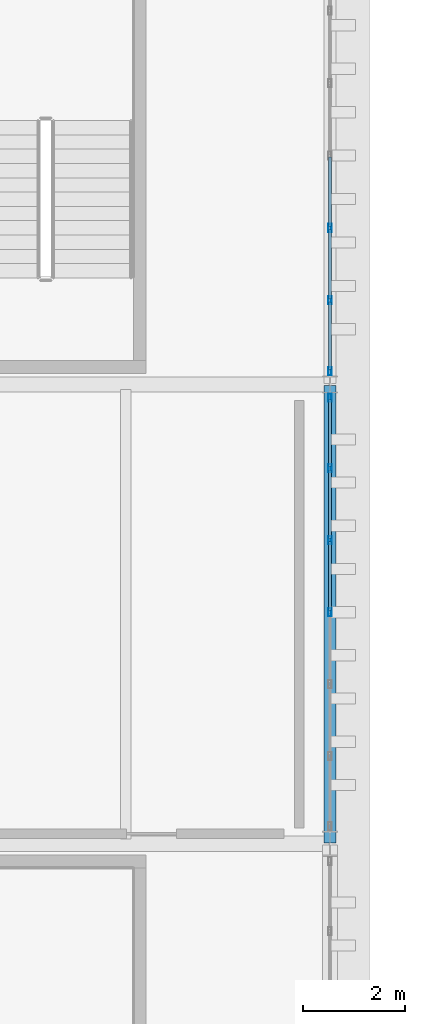
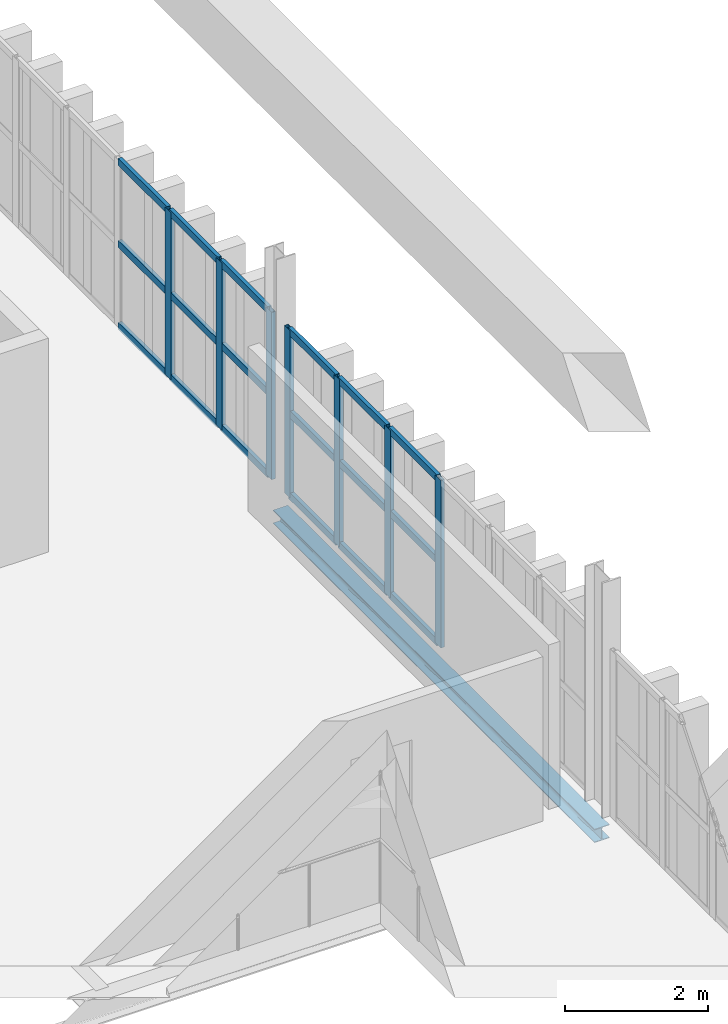
# One storey, part 77 of 102: 25 members, 1 beam, 2 elements without a shape of their own.
"""IFC4 building model written with IfcOpenShell, lengths in metres."""

from ifc_helpers import new_model, si_unit, direction, frame, origin, origin_2d, place, context, subcontext, project, spatial, hollow_rectangle, i_section, extrude, material, layer, layer_set, material_profile, profile_set, type_object, element, aggregate, save


model = new_model("IFC4")

# Units and contexts
model_context = context("Model", 3, precision=1e-05, world=origin(), true_north=direction((0.0, 1.0)))
body_context = subcontext(model_context, "Body", "Model", "MODEL_VIEW")
ifc_project = project(units=[si_unit("LENGTHUNIT", "METRE"), si_unit("AREAUNIT", "SQUARE_METRE"), si_unit("VOLUMEUNIT", "CUBIC_METRE"), si_unit("PLANEANGLEUNIT", "RADIAN"), si_unit("MASSUNIT", "GRAM", prefix="KILO")], contexts=[model_context])

# Site, building, storey
site_placement = place(None, origin())
site = spatial("IfcSite", under=ifc_project, at=site_placement, CompositionType="ELEMENT")
building_placement = place(site_placement, origin())
building = spatial("IfcBuilding", under=site, at=building_placement, Name="Barlavento Convention Centre", CompositionType="ELEMENT")
storey_placement = place(building_placement, frame((0.0, 0.0, 22.800048828125)))
storey = spatial("IfcBuildingStorey", under=building, at=storey_placement, Name="L04", CompositionType="ELEMENT", Elevation=22.800048828125)

# Curtain wall, members
ifc_material_1 = material(Name="Powder-coated aluminium and Low-E glass", Category="aluminium")
ifc_layer = layer(ifc_material_1, 0.18505859375)
ifc_layer_set = layer_set([ifc_layer], Name="ARC-CW-CONF-L04")
curtain_wall_type = type_object("IfcCurtainWallType", Name="ARC-CW-CONF-L04", PredefinedType="NOTDEFINED", material=ifc_layer_set)
curtain_wall_1_placement = place(storey_placement, origin())
curtain_wall_1 = element("IfcCurtainWall", 1, at=curtain_wall_1_placement, inside=storey, type_object=curtain_wall_type, Name="L04 unitised curtain wall CW09", PredefinedType="NOTDEFINED")
ifc_material_2 = material(Name="Powder-coated aluminium", Category="aluminium")
ifc_material_profile_1 = material_profile(ifc_material_2, hollow_rectangle(XDim=0.06005859375, YDim=0.159912109375, WallThickness=0.00390625, at=origin_2d()), Name="AL-MULL 60x160x4")
ifc_profile_set_1 = profile_set([ifc_material_profile_1], Name="Powder-coated aluminium")
member_type_1 = type_object("IfcMemberType", Name="ARC-CWM-60X160", PredefinedType="MULLION", material=ifc_profile_set_1)
member_1_placement = place(storey_placement, frame((192.0, 85.5400390625, 0.0), z_axis=(0.0, 0.0, 1.0), x_axis=(-1.0, 0.0, 0.0)))
member_1 = element("IfcMember", 2, at=member_1_placement, type_object=member_type_1, Name="CW09 mullion 4", PredefinedType="MULLION", context=body_context, shape_type="SweptSolid", body=[
    extrude(hollow_rectangle(XDim=0.06005859375, YDim=0.159912109375, WallThickness=0.00390625, at=origin_2d()), origin(), (0.0, 0.0, 1.0), 2.849853515625),
])
member_2_placement = place(storey_placement, frame((192.0, 86.949951171875, 0.0), z_axis=(0.0, 0.0, 1.0), x_axis=(-1.0, 0.0, 0.0)))
member_2 = element("IfcMember", 3, at=member_2_placement, type_object=member_type_1, Name="CW09 mullion 5", PredefinedType="MULLION", context=body_context, shape_type="SweptSolid", body=[
    extrude(hollow_rectangle(XDim=0.06005859375, YDim=0.159912109375, WallThickness=0.00390625, at=origin_2d()), origin(), (0.0, 0.0, 1.0), 2.849853515625),
])
member_3_placement = place(storey_placement, frame((192.0, 88.360107421875, 0.0), z_axis=(0.0, 0.0, 1.0), x_axis=(-1.0, 0.0, 0.0)))
member_3 = element("IfcMember", 4, at=member_3_placement, type_object=member_type_1, Name="CW09 mullion 6", PredefinedType="MULLION", context=body_context, shape_type="SweptSolid", body=[
    extrude(hollow_rectangle(XDim=0.06005859375, YDim=0.159912109375, WallThickness=0.00390625, at=origin_2d()), origin(), (0.0, 0.0, 1.0), 2.849853515625),
])
member_4_placement = place(storey_placement, frame((192.0, 89.739990234375, 0.0), z_axis=(0.0, 0.0, 1.0), x_axis=(-1.0, 0.0, 0.0)))
member_4 = element("IfcMember", 5, at=member_4_placement, type_object=member_type_1, Name="CW09 mullion 7", PredefinedType="MULLION", context=body_context, shape_type="SweptSolid", body=[
    extrude(hollow_rectangle(XDim=0.06005859375, YDim=0.159912109375, WallThickness=0.00390625, at=origin_2d()), origin(), (0.0, 0.0, 1.0), 2.849853515625),
])

curtain_wall_2_placement = place(storey_placement, origin())
curtain_wall_2 = element("IfcCurtainWall", 6, at=curtain_wall_2_placement, inside=storey, type_object=curtain_wall_type, Name="L04 unitised curtain wall CW09", PredefinedType="NOTDEFINED")
member_5_placement = place(storey_placement, frame((192.0, 90.260009765625, 0.0), z_axis=(0.0, 0.0, 1.0), x_axis=(-1.0, 0.0, 0.0)))
member_5 = element("IfcMember", 7, at=member_5_placement, type_object=member_type_1, Name="CW09 mullion 1", PredefinedType="MULLION", context=body_context, shape_type="SweptSolid", body=[
    extrude(hollow_rectangle(XDim=0.06005859375, YDim=0.159912109375, WallThickness=0.00390625, at=origin_2d()), origin(), (0.0, 0.0, 1.0), 2.849853515625),
])
member_6_placement = place(storey_placement, frame((192.0, 91.6484375, 0.0), z_axis=(0.0, 0.0, 1.0), x_axis=(-1.0, 0.0, 0.0)))
member_6 = element("IfcMember", 8, at=member_6_placement, type_object=member_type_1, Name="CW09 mullion 2", PredefinedType="MULLION", context=body_context, shape_type="SweptSolid", body=[
    extrude(hollow_rectangle(XDim=0.06005859375, YDim=0.159912109375, WallThickness=0.00390625, at=origin_2d()), origin(), (0.0, 0.0, 1.0), 2.849853515625),
])
member_7_placement = place(storey_placement, frame((192.0, 93.066650390625, 0.0), z_axis=(0.0, 0.0, 1.0), x_axis=(-1.0, 0.0, 0.0)))
member_7 = element("IfcMember", 9, at=member_7_placement, type_object=member_type_1, Name="CW09 mullion 3", PredefinedType="MULLION", context=body_context, shape_type="SweptSolid", body=[
    extrude(hollow_rectangle(XDim=0.06005859375, YDim=0.159912109375, WallThickness=0.00390625, at=origin_2d()), origin(), (0.0, 0.0, 1.0), 2.849853515625),
])

# Member
ifc_material_profile_2 = material_profile(ifc_material_2, hollow_rectangle(XDim=0.06005859375, YDim=0.1201171875, WallThickness=0.00390625, at=origin_2d()), Name="AL-TRAN 60x120x4")
ifc_profile_set_2 = profile_set([ifc_material_profile_2], Name="Powder-coated aluminium")
member_type_2 = type_object("IfcMemberType", Name="ARC-CWT-60X120", PredefinedType="USERDEFINED", material=ifc_profile_set_2)
member_8_placement = place(storey_placement, frame((192.0, 85.570068359375, 0.030029296875), z_axis=(0.0, 1.0, 0.0), x_axis=(-1.0, 0.0, 0.0)))
member_8 = element("IfcMember", 10, at=member_8_placement, type_object=member_type_2, Name="CW09 transom 4.1", ObjectType="TRANSOM", PredefinedType="USERDEFINED", context=body_context, shape_type="SweptSolid", body=[
    extrude(hollow_rectangle(XDim=0.06005859375, YDim=0.1201171875, WallThickness=0.00390625, at=origin_2d()), origin(), (0.0, 0.0, 1.0), 1.349853515625),
])

member_9_placement = place(storey_placement, frame((192.0, 85.570068359375, 1.425048828125), z_axis=(0.0, 1.0, 0.0), x_axis=(-1.0, 0.0, 0.0)))
member_9 = element("IfcMember", 11, at=member_9_placement, type_object=member_type_2, Name="CW09 transom 4.2", ObjectType="TRANSOM", PredefinedType="USERDEFINED", context=body_context, shape_type="SweptSolid", body=[
    extrude(hollow_rectangle(XDim=0.06005859375, YDim=0.1201171875, WallThickness=0.00390625, at=origin_2d()), origin(), (0.0, 0.0, 1.0), 1.349853515625),
])

member_10_placement = place(storey_placement, frame((192.0, 85.570068359375, 2.820068359375), z_axis=(0.0, 1.0, 0.0), x_axis=(-1.0, 0.0, 0.0)))
member_10 = element("IfcMember", 12, at=member_10_placement, type_object=member_type_2, Name="CW09 transom 4.3", ObjectType="TRANSOM", PredefinedType="USERDEFINED", context=body_context, shape_type="SweptSolid", body=[
    extrude(hollow_rectangle(XDim=0.06005859375, YDim=0.1201171875, WallThickness=0.00390625, at=origin_2d()), origin(), (0.0, 0.0, 1.0), 1.349853515625),
])

member_11_placement = place(storey_placement, frame((192.0, 86.97998046875, 0.030029296875), z_axis=(0.0, 1.0, 0.0), x_axis=(-1.0, 0.0, 0.0)))
member_11 = element("IfcMember", 13, at=member_11_placement, type_object=member_type_2, Name="CW09 transom 5.1", ObjectType="TRANSOM", PredefinedType="USERDEFINED", context=body_context, shape_type="SweptSolid", body=[
    extrude(hollow_rectangle(XDim=0.06005859375, YDim=0.1201171875, WallThickness=0.00390625, at=origin_2d()), origin(), (0.0, 0.0, 1.0), 1.35009765625),
])

member_12_placement = place(storey_placement, frame((192.0, 86.97998046875, 1.425048828125), z_axis=(0.0, 1.0, 0.0), x_axis=(-1.0, 0.0, 0.0)))
member_12 = element("IfcMember", 14, at=member_12_placement, type_object=member_type_2, Name="CW09 transom 5.2", ObjectType="TRANSOM", PredefinedType="USERDEFINED", context=body_context, shape_type="SweptSolid", body=[
    extrude(hollow_rectangle(XDim=0.06005859375, YDim=0.1201171875, WallThickness=0.00390625, at=origin_2d()), origin(), (0.0, 0.0, 1.0), 1.35009765625),
])

member_13_placement = place(storey_placement, frame((192.0, 86.97998046875, 2.820068359375), z_axis=(0.0, 1.0, 0.0), x_axis=(-1.0, 0.0, 0.0)))
member_13 = element("IfcMember", 15, at=member_13_placement, type_object=member_type_2, Name="CW09 transom 5.3", ObjectType="TRANSOM", PredefinedType="USERDEFINED", context=body_context, shape_type="SweptSolid", body=[
    extrude(hollow_rectangle(XDim=0.06005859375, YDim=0.1201171875, WallThickness=0.00390625, at=origin_2d()), origin(), (0.0, 0.0, 1.0), 1.35009765625),
])

member_14_placement = place(storey_placement, frame((192.0, 88.389892578125, 0.030029296875), z_axis=(0.0, 1.0, 0.0), x_axis=(-1.0, 0.0, 0.0)))
member_14 = element("IfcMember", 16, at=member_14_placement, type_object=member_type_2, Name="CW09 transom 6.1", ObjectType="TRANSOM", PredefinedType="USERDEFINED", context=body_context, shape_type="SweptSolid", body=[
    extrude(hollow_rectangle(XDim=0.06005859375, YDim=0.1201171875, WallThickness=0.00390625, at=origin_2d()), origin(), (0.0, 0.0, 1.0), 1.320068359375),
])

member_15_placement = place(storey_placement, frame((192.0, 88.389892578125, 1.425048828125), z_axis=(0.0, 1.0, 0.0), x_axis=(-1.0, 0.0, 0.0)))
member_15 = element("IfcMember", 17, at=member_15_placement, type_object=member_type_2, Name="CW09 transom 6.2", ObjectType="TRANSOM", PredefinedType="USERDEFINED", context=body_context, shape_type="SweptSolid", body=[
    extrude(hollow_rectangle(XDim=0.06005859375, YDim=0.1201171875, WallThickness=0.00390625, at=origin_2d()), origin(), (0.0, 0.0, 1.0), 1.320068359375),
])

member_16_placement = place(storey_placement, frame((192.0, 88.389892578125, 2.820068359375), z_axis=(0.0, 1.0, 0.0), x_axis=(-1.0, 0.0, 0.0)))
member_16 = element("IfcMember", 18, at=member_16_placement, type_object=member_type_2, Name="CW09 transom 6.3", ObjectType="TRANSOM", PredefinedType="USERDEFINED", context=body_context, shape_type="SweptSolid", body=[
    extrude(hollow_rectangle(XDim=0.06005859375, YDim=0.1201171875, WallThickness=0.00390625, at=origin_2d()), origin(), (0.0, 0.0, 1.0), 1.320068359375),
])

aggregate(curtain_wall_1, [member_1, member_2, member_3, member_4, member_8, member_9, member_10, member_11, member_12, member_13, member_14, member_15, member_16])

member_17_placement = place(storey_placement, frame((192.0, 90.2900390625, 0.030029296875), z_axis=(0.0, 1.0, 0.0), x_axis=(-1.0, 0.0, 0.0)))
member_17 = element("IfcMember", 19, at=member_17_placement, type_object=member_type_2, Name="CW09 transom 1.1", ObjectType="TRANSOM", PredefinedType="USERDEFINED", context=body_context, shape_type="SweptSolid", body=[
    extrude(hollow_rectangle(XDim=0.06005859375, YDim=0.1201171875, WallThickness=0.00390625, at=origin_2d()), origin(), (0.0, 0.0, 1.0), 1.328369140625),
])

member_18_placement = place(storey_placement, frame((192.0, 90.2900390625, 1.425048828125), z_axis=(0.0, 1.0, 0.0), x_axis=(-1.0, 0.0, 0.0)))
member_18 = element("IfcMember", 20, at=member_18_placement, type_object=member_type_2, Name="CW09 transom 1.2", ObjectType="TRANSOM", PredefinedType="USERDEFINED", context=body_context, shape_type="SweptSolid", body=[
    extrude(hollow_rectangle(XDim=0.06005859375, YDim=0.1201171875, WallThickness=0.00390625, at=origin_2d()), origin(), (0.0, 0.0, 1.0), 1.328369140625),
])

member_19_placement = place(storey_placement, frame((192.0, 90.2900390625, 2.820068359375), z_axis=(0.0, 1.0, 0.0), x_axis=(-1.0, 0.0, 0.0)))
member_19 = element("IfcMember", 21, at=member_19_placement, type_object=member_type_2, Name="CW09 transom 1.3", ObjectType="TRANSOM", PredefinedType="USERDEFINED", context=body_context, shape_type="SweptSolid", body=[
    extrude(hollow_rectangle(XDim=0.06005859375, YDim=0.1201171875, WallThickness=0.00390625, at=origin_2d()), origin(), (0.0, 0.0, 1.0), 1.328369140625),
])

member_20_placement = place(storey_placement, frame((192.0, 91.67822265625, 0.030029296875), z_axis=(0.0, 1.0, 0.0), x_axis=(-1.0, 0.0, 0.0)))
member_20 = element("IfcMember", 22, at=member_20_placement, type_object=member_type_2, Name="CW09 transom 2.1", ObjectType="TRANSOM", PredefinedType="USERDEFINED", context=body_context, shape_type="SweptSolid", body=[
    extrude(hollow_rectangle(XDim=0.06005859375, YDim=0.1201171875, WallThickness=0.00390625, at=origin_2d()), origin(), (0.0, 0.0, 1.0), 1.3583984375),
])

member_21_placement = place(storey_placement, frame((192.0, 91.67822265625, 1.425048828125), z_axis=(0.0, 1.0, 0.0), x_axis=(-1.0, 0.0, 0.0)))
member_21 = element("IfcMember", 23, at=member_21_placement, type_object=member_type_2, Name="CW09 transom 2.2", ObjectType="TRANSOM", PredefinedType="USERDEFINED", context=body_context, shape_type="SweptSolid", body=[
    extrude(hollow_rectangle(XDim=0.06005859375, YDim=0.1201171875, WallThickness=0.00390625, at=origin_2d()), origin(), (0.0, 0.0, 1.0), 1.3583984375),
])

member_22_placement = place(storey_placement, frame((192.0, 91.67822265625, 2.820068359375), z_axis=(0.0, 1.0, 0.0), x_axis=(-1.0, 0.0, 0.0)))
member_22 = element("IfcMember", 24, at=member_22_placement, type_object=member_type_2, Name="CW09 transom 2.3", ObjectType="TRANSOM", PredefinedType="USERDEFINED", context=body_context, shape_type="SweptSolid", body=[
    extrude(hollow_rectangle(XDim=0.06005859375, YDim=0.1201171875, WallThickness=0.00390625, at=origin_2d()), origin(), (0.0, 0.0, 1.0), 1.3583984375),
])

member_23_placement = place(storey_placement, frame((192.0, 93.0966796875, 0.030029296875), z_axis=(0.0, 1.0, 0.0), x_axis=(-1.0, 0.0, 0.0)))
member_23 = element("IfcMember", 25, at=member_23_placement, type_object=member_type_2, Name="CW09 transom 3.1", ObjectType="TRANSOM", PredefinedType="USERDEFINED", context=body_context, shape_type="SweptSolid", body=[
    extrude(hollow_rectangle(XDim=0.06005859375, YDim=0.1201171875, WallThickness=0.00390625, at=origin_2d()), origin(), (0.0, 0.0, 1.0), 1.3583984375),
])

member_24_placement = place(storey_placement, frame((192.0, 93.0966796875, 1.425048828125), z_axis=(0.0, 1.0, 0.0), x_axis=(-1.0, 0.0, 0.0)))
member_24 = element("IfcMember", 26, at=member_24_placement, type_object=member_type_2, Name="CW09 transom 3.2", ObjectType="TRANSOM", PredefinedType="USERDEFINED", context=body_context, shape_type="SweptSolid", body=[
    extrude(hollow_rectangle(XDim=0.06005859375, YDim=0.1201171875, WallThickness=0.00390625, at=origin_2d()), origin(), (0.0, 0.0, 1.0), 1.3583984375),
])

member_25_placement = place(storey_placement, frame((192.0, 93.0966796875, 2.820068359375), z_axis=(0.0, 1.0, 0.0), x_axis=(-1.0, 0.0, 0.0)))
member_25 = element("IfcMember", 27, at=member_25_placement, type_object=member_type_2, Name="CW09 transom 3.3", ObjectType="TRANSOM", PredefinedType="USERDEFINED", context=body_context, shape_type="SweptSolid", body=[
    extrude(hollow_rectangle(XDim=0.06005859375, YDim=0.1201171875, WallThickness=0.00390625, at=origin_2d()), origin(), (0.0, 0.0, 1.0), 1.3583984375),
])

aggregate(curtain_wall_2, [member_5, member_6, member_7, member_17, member_18, member_19, member_20, member_21, member_22, member_23, member_24, member_25])

# Beam
ifc_material_3 = material(Name="Steel S355", Category="steel")
ifc_material_profile_3 = material_profile(ifc_material_3, i_section(OverallWidth=0.239990234375, OverallDepth=0.22998046875, WebThickness=0.007568359375, FlangeThickness=0.011962890625, FilletRadius=0.02099609375, at=origin_2d()), Name="HEA 240")
ifc_profile_set_3 = profile_set([ifc_material_profile_3], Name="Steel S355")
beam_type = type_object("IfcBeamType", Name="STR-BM-SPN-HEA240", PredefinedType="SPANDREL", material=ifc_profile_set_3)
beam_placement = place(storey_placement, frame((192.0, 81.02001953125, -0.47509765625), z_axis=(0.0, 1.0, 0.0), x_axis=(-1.0, 0.0, 0.0)))
element("IfcBeam", 28, at=beam_placement, inside=storey, type_object=beam_type, Name="L04 grid girder SP05", PredefinedType="SPANDREL", context=body_context, shape_type="SweptSolid", body=[
    extrude(i_section(OverallWidth=0.239990234375, OverallDepth=0.22998046875, WebThickness=0.007568359375, FlangeThickness=0.011962890625, FilletRadius=0.02099609375, at=origin_2d()), origin(), (0.0, 0.0, 1.0), 8.9599609375),
])

save(model, "model.ifc")
